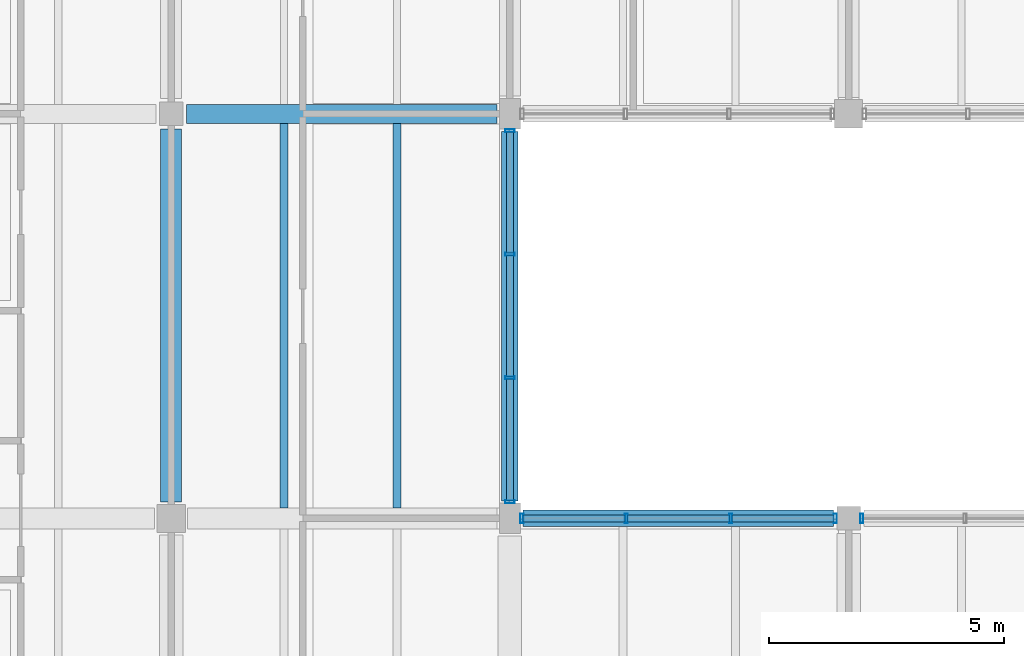
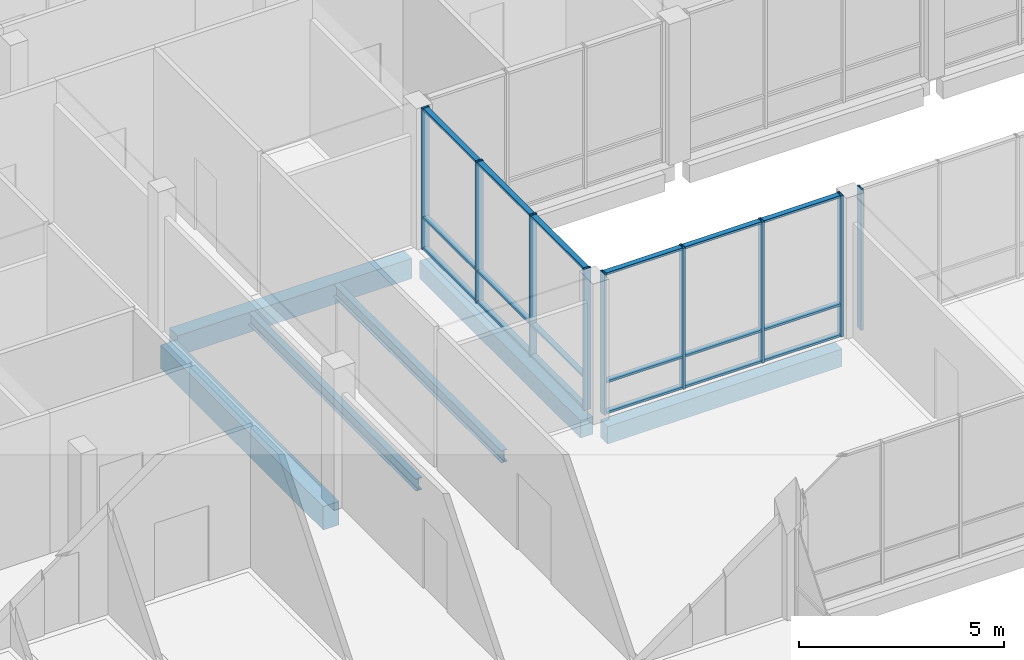
# One storey, part 31 of 104: 27 members, 6 beams, 3 elements without a shape of their own.
"""IFC4 building model written with IfcOpenShell, lengths in metres."""

from ifc_helpers import new_model, si_unit, direction, frame, origin, origin_2d, place, context, subcontext, project, spatial, rectangle, hollow_rectangle, i_section, extrude, material, material_profile, profile_set, type_object, element, aggregate, save


model = new_model("IFC4")

# Units and contexts
model_context = context("Model", 3, precision=1e-05, world=origin(), true_north=direction((0.0, 1.0)))
body_context = subcontext(model_context, "Body", "Model", "MODEL_VIEW")
ifc_project = project(units=[si_unit("LENGTHUNIT", "METRE"), si_unit("AREAUNIT", "SQUARE_METRE"), si_unit("VOLUMEUNIT", "CUBIC_METRE"), si_unit("PLANEANGLEUNIT", "RADIAN"), si_unit("MASSUNIT", "GRAM", prefix="KILO")], contexts=[model_context])

# Site, building, storey
site_placement = place(None, origin())
site = spatial("IfcSite", under=ifc_project, at=site_placement, CompositionType="ELEMENT")
building_placement = place(site_placement, origin())
building = spatial("IfcBuilding", under=site, at=building_placement, Name="Hawrajan Terrace Health Centre", CompositionType="ELEMENT")
storey_placement = place(building_placement, origin())
storey = spatial("IfcBuildingStorey", under=building, at=storey_placement, Name="L00", CompositionType="ELEMENT", Elevation=0.0)

# Curtain wall, members
ifc_material_1 = material(Name="Anodized bronze aluminium and low-E solar glazing", Category="aluminium")
curtain_wall_type_1 = type_object("IfcCurtainWallType", Name="CW_Court_SeriesB1", PredefinedType="USERDEFINED", material=ifc_material_1)
curtain_wall_1_placement = place(storey_placement, origin())
curtain_wall_1 = element("IfcCurtainWall", 1, at=curtain_wall_1_placement, inside=storey, type_object=curtain_wall_type_1, Name="Curtain wall CW-L00-004", ObjectType="UNITISED CURTAIN WALL", PredefinedType="USERDEFINED")
ifc_material_2 = material(Name="Anodized bronze aluminium 6063-T6", Category="aluminium")
ifc_material_profile_1 = material_profile(ifc_material_2, hollow_rectangle(XDim=0.06494140625, YDim=0.199951171875, WallThickness=0.00439453125, at=origin_2d()), Name="CW MUL 65x200")
ifc_profile_set_1 = profile_set([ifc_material_profile_1], Name="Anodized bronze aluminium 6063-T6")
member_type_1 = type_object("IfcMemberType", Name="CWMullion_65x200", PredefinedType="MULLION", material=ifc_profile_set_1)
member_1_placement = place(storey_placement, frame((26.199951171875, 37.157470703125, -0.0048828125), z_axis=(0.0, 0.0, 1.0), x_axis=(0.0, 1.0, 0.0)))
member_1 = element("IfcMember", 2, at=member_1_placement, type_object=member_type_1, Name="Mullion CW-L00-004-M1", PredefinedType="MULLION", context=body_context, shape_type="SweptSolid", body=[
    extrude(hollow_rectangle(XDim=0.06494140625, YDim=0.199951171875, WallThickness=0.00439453125, at=origin_2d()), origin(), (0.0, 0.0, 1.0), 4.2099609375),
])
member_2_placement = place(storey_placement, frame((26.199951171875, 39.785888671875, -0.0048828125), z_axis=(0.0, 0.0, 1.0), x_axis=(0.0, 1.0, 0.0)))
member_2 = element("IfcMember", 3, at=member_2_placement, type_object=member_type_1, Name="Mullion CW-L00-004-M2", PredefinedType="MULLION", context=body_context, shape_type="SweptSolid", body=[
    extrude(hollow_rectangle(XDim=0.06494140625, YDim=0.199951171875, WallThickness=0.00439453125, at=origin_2d()), origin(), (0.0, 0.0, 1.0), 4.2099609375),
])
member_3_placement = place(storey_placement, frame((26.199951171875, 42.414306640625, -0.0048828125), z_axis=(0.0, 0.0, 1.0), x_axis=(0.0, 1.0, 0.0)))
member_3 = element("IfcMember", 4, at=member_3_placement, type_object=member_type_1, Name="Mullion CW-L00-004-M3", PredefinedType="MULLION", context=body_context, shape_type="SweptSolid", body=[
    extrude(hollow_rectangle(XDim=0.06494140625, YDim=0.199951171875, WallThickness=0.00439453125, at=origin_2d()), origin(), (0.0, 0.0, 1.0), 4.2099609375),
])
member_4_placement = place(storey_placement, frame((26.199951171875, 45.04248046875, -0.0048828125), z_axis=(0.0, 0.0, 1.0), x_axis=(0.0, 1.0, 0.0)))
member_4 = element("IfcMember", 5, at=member_4_placement, type_object=member_type_1, Name="Mullion CW-L00-004-M4", PredefinedType="MULLION", context=body_context, shape_type="SweptSolid", body=[
    extrude(hollow_rectangle(XDim=0.06494140625, YDim=0.199951171875, WallThickness=0.00439453125, at=origin_2d()), origin(), (0.0, 0.0, 1.0), 4.2099609375),
])

curtain_wall_type_2 = type_object("IfcCurtainWallType", Name="CW_CourtNS_SeriesC1", PredefinedType="USERDEFINED", material=ifc_material_1)
curtain_wall_2_placement = place(storey_placement, origin())
curtain_wall_2 = element("IfcCurtainWall", 6, at=curtain_wall_2_placement, inside=storey, type_object=curtain_wall_type_2, Name="Curtain wall CW-L00-007", ObjectType="UNITISED CURTAIN WALL", PredefinedType="USERDEFINED")
member_5_placement = place(storey_placement, frame((26.45751953125, 36.800048828125, -0.0048828125), z_axis=(0.0, 0.0, 1.0), x_axis=(1.0, 0.0, 0.0)))
member_5 = element("IfcMember", 7, at=member_5_placement, type_object=member_type_1, Name="Mullion CW-L00-007-M1", PredefinedType="MULLION", context=body_context, shape_type="SweptSolid", body=[
    extrude(hollow_rectangle(XDim=0.06494140625, YDim=0.199951171875, WallThickness=0.00439453125, at=origin_2d()), origin(), (0.0, 0.0, 1.0), 4.2099609375),
])
member_6_placement = place(storey_placement, frame((28.677490234375, 36.800048828125, -0.0048828125), z_axis=(0.0, 0.0, 1.0), x_axis=(1.0, 0.0, 0.0)))
member_6 = element("IfcMember", 8, at=member_6_placement, type_object=member_type_1, Name="Mullion CW-L00-007-M2", PredefinedType="MULLION", context=body_context, shape_type="SweptSolid", body=[
    extrude(hollow_rectangle(XDim=0.06494140625, YDim=0.199951171875, WallThickness=0.00439453125, at=origin_2d()), origin(), (0.0, 0.0, 1.0), 4.2099609375),
])
member_7_placement = place(storey_placement, frame((30.8974609375, 36.800048828125, -0.0048828125), z_axis=(0.0, 0.0, 1.0), x_axis=(1.0, 0.0, 0.0)))
member_7 = element("IfcMember", 9, at=member_7_placement, type_object=member_type_1, Name="Mullion CW-L00-007-M3", PredefinedType="MULLION", context=body_context, shape_type="SweptSolid", body=[
    extrude(hollow_rectangle(XDim=0.06494140625, YDim=0.199951171875, WallThickness=0.00439453125, at=origin_2d()), origin(), (0.0, 0.0, 1.0), 4.2099609375),
])
member_8_placement = place(storey_placement, frame((33.117431640625, 36.800048828125, -0.0048828125), z_axis=(0.0, 0.0, 1.0), x_axis=(1.0, 0.0, 0.0)))
member_8 = element("IfcMember", 10, at=member_8_placement, type_object=member_type_1, Name="Mullion CW-L00-007-M4", PredefinedType="MULLION", context=body_context, shape_type="SweptSolid", body=[
    extrude(hollow_rectangle(XDim=0.06494140625, YDim=0.199951171875, WallThickness=0.00439453125, at=origin_2d()), origin(), (0.0, 0.0, 1.0), 4.2099609375),
])

# Curtain wall, member
curtain_wall_type_3 = type_object("IfcCurtainWallType", Name="CW_Pavilion_SeriesE2", PredefinedType="USERDEFINED", material=ifc_material_1)
curtain_wall_3_placement = place(storey_placement, origin())
curtain_wall_3 = element("IfcCurtainWall", 11, at=curtain_wall_3_placement, inside=storey, type_object=curtain_wall_type_3, Name="Curtain wall CW-L00-013", ObjectType="UNITISED CURTAIN WALL", PredefinedType="USERDEFINED")
member_9_placement = place(storey_placement, frame((33.6826171875, 36.800048828125, -0.0048828125), z_axis=(0.0, 0.0, 1.0), x_axis=(1.0, 0.0, 0.0)))
member_9 = element("IfcMember", 12, at=member_9_placement, type_object=member_type_1, Name="Mullion CW-L00-013-M1", PredefinedType="MULLION", context=body_context, shape_type="SweptSolid", body=[
    extrude(hollow_rectangle(XDim=0.06494140625, YDim=0.199951171875, WallThickness=0.00439453125, at=origin_2d()), origin(), (0.0, 0.0, 1.0), 4.2099609375),
])
aggregate(curtain_wall_3, [member_9])

# Member
ifc_material_profile_2 = material_profile(ifc_material_2, hollow_rectangle(XDim=0.06494140625, YDim=0.14990234375, WallThickness=0.00390625, at=origin_2d()), Name="CW TRN 65x150")
ifc_profile_set_2 = profile_set([ifc_material_profile_2], Name="Anodized bronze aluminium 6063-T6")
member_type_2 = type_object("IfcMemberType", Name="CWTransom_65x150", PredefinedType="USERDEFINED", material=ifc_profile_set_2)
member_10_placement = place(storey_placement, frame((26.199951171875, 37.18408203125, 0.032470703125), z_axis=(0.0, 1.0, 0.0), x_axis=(0.0, 0.0, 1.0)))
member_10 = element("IfcMember", 13, at=member_10_placement, type_object=member_type_2, Name="Transom CW-L00-004-T1-1", ObjectType="TRANSOM", PredefinedType="USERDEFINED", context=body_context, shape_type="SweptSolid", body=[
    extrude(hollow_rectangle(XDim=0.06494140625, YDim=0.14990234375, WallThickness=0.00390625, at=origin_2d()), origin(), (0.0, 0.0, 1.0), 2.5751953125),
])

member_11_placement = place(storey_placement, frame((26.199951171875, 37.18408203125, 0.949951171875), z_axis=(0.0, 1.0, 0.0), x_axis=(0.0, 0.0, 1.0)))
member_11 = element("IfcMember", 14, at=member_11_placement, type_object=member_type_2, Name="Transom CW-L00-004-T1-2", ObjectType="TRANSOM", PredefinedType="USERDEFINED", context=body_context, shape_type="SweptSolid", body=[
    extrude(hollow_rectangle(XDim=0.06494140625, YDim=0.14990234375, WallThickness=0.00390625, at=origin_2d()), origin(), (0.0, 0.0, 1.0), 2.5751953125),
])

member_12_placement = place(storey_placement, frame((26.199951171875, 37.18408203125, 4.16748046875), z_axis=(0.0, 1.0, 0.0), x_axis=(0.0, 0.0, 1.0)))
member_12 = element("IfcMember", 15, at=member_12_placement, type_object=member_type_2, Name="Transom CW-L00-004-T1-3", ObjectType="TRANSOM", PredefinedType="USERDEFINED", context=body_context, shape_type="SweptSolid", body=[
    extrude(hollow_rectangle(XDim=0.06494140625, YDim=0.14990234375, WallThickness=0.00390625, at=origin_2d()), origin(), (0.0, 0.0, 1.0), 2.5751953125),
])

member_13_placement = place(storey_placement, frame((26.199951171875, 39.812255859375, 0.032470703125), z_axis=(0.0, 1.0, 0.0), x_axis=(0.0, 0.0, 1.0)))
member_13 = element("IfcMember", 16, at=member_13_placement, type_object=member_type_2, Name="Transom CW-L00-004-T2-1", ObjectType="TRANSOM", PredefinedType="USERDEFINED", context=body_context, shape_type="SweptSolid", body=[
    extrude(hollow_rectangle(XDim=0.06494140625, YDim=0.14990234375, WallThickness=0.00390625, at=origin_2d()), origin(), (0.0, 0.0, 1.0), 2.575439453125),
])

member_14_placement = place(storey_placement, frame((26.199951171875, 39.812255859375, 0.949951171875), z_axis=(0.0, 1.0, 0.0), x_axis=(0.0, 0.0, 1.0)))
member_14 = element("IfcMember", 17, at=member_14_placement, type_object=member_type_2, Name="Transom CW-L00-004-T2-2", ObjectType="TRANSOM", PredefinedType="USERDEFINED", context=body_context, shape_type="SweptSolid", body=[
    extrude(hollow_rectangle(XDim=0.06494140625, YDim=0.14990234375, WallThickness=0.00390625, at=origin_2d()), origin(), (0.0, 0.0, 1.0), 2.575439453125),
])

member_15_placement = place(storey_placement, frame((26.199951171875, 39.812255859375, 4.16748046875), z_axis=(0.0, 1.0, 0.0), x_axis=(0.0, 0.0, 1.0)))
member_15 = element("IfcMember", 18, at=member_15_placement, type_object=member_type_2, Name="Transom CW-L00-004-T2-3", ObjectType="TRANSOM", PredefinedType="USERDEFINED", context=body_context, shape_type="SweptSolid", body=[
    extrude(hollow_rectangle(XDim=0.06494140625, YDim=0.14990234375, WallThickness=0.00390625, at=origin_2d()), origin(), (0.0, 0.0, 1.0), 2.575439453125),
])

member_16_placement = place(storey_placement, frame((26.199951171875, 42.440673828125, 0.032470703125), z_axis=(0.0, 1.0, 0.0), x_axis=(0.0, 0.0, 1.0)))
member_16 = element("IfcMember", 19, at=member_16_placement, type_object=member_type_2, Name="Transom CW-L00-004-T3-1", ObjectType="TRANSOM", PredefinedType="USERDEFINED", context=body_context, shape_type="SweptSolid", body=[
    extrude(hollow_rectangle(XDim=0.06494140625, YDim=0.14990234375, WallThickness=0.00390625, at=origin_2d()), origin(), (0.0, 0.0, 1.0), 2.575439453125),
])

member_17_placement = place(storey_placement, frame((26.199951171875, 42.440673828125, 0.949951171875), z_axis=(0.0, 1.0, 0.0), x_axis=(0.0, 0.0, 1.0)))
member_17 = element("IfcMember", 20, at=member_17_placement, type_object=member_type_2, Name="Transom CW-L00-004-T3-2", ObjectType="TRANSOM", PredefinedType="USERDEFINED", context=body_context, shape_type="SweptSolid", body=[
    extrude(hollow_rectangle(XDim=0.06494140625, YDim=0.14990234375, WallThickness=0.00390625, at=origin_2d()), origin(), (0.0, 0.0, 1.0), 2.575439453125),
])

member_18_placement = place(storey_placement, frame((26.199951171875, 42.440673828125, 4.16748046875), z_axis=(0.0, 1.0, 0.0), x_axis=(0.0, 0.0, 1.0)))
member_18 = element("IfcMember", 21, at=member_18_placement, type_object=member_type_2, Name="Transom CW-L00-004-T3-3", ObjectType="TRANSOM", PredefinedType="USERDEFINED", context=body_context, shape_type="SweptSolid", body=[
    extrude(hollow_rectangle(XDim=0.06494140625, YDim=0.14990234375, WallThickness=0.00390625, at=origin_2d()), origin(), (0.0, 0.0, 1.0), 2.575439453125),
])

aggregate(curtain_wall_1, [member_1, member_2, member_3, member_4, member_10, member_11, member_12, member_13, member_14, member_15, member_16, member_17, member_18])

member_19_placement = place(storey_placement, frame((26.48388671875, 36.800048828125, 0.032470703125), z_axis=(1.0, 0.0, 0.0), x_axis=(0.0, 0.0, 1.0)))
member_19 = element("IfcMember", 22, at=member_19_placement, type_object=member_type_2, Name="Transom CW-L00-007-T1-1", ObjectType="TRANSOM", PredefinedType="USERDEFINED", context=body_context, shape_type="SweptSolid", body=[
    extrude(hollow_rectangle(XDim=0.06494140625, YDim=0.14990234375, WallThickness=0.00390625, at=origin_2d()), origin(), (0.0, 0.0, 1.0), 2.1669921875),
])

member_20_placement = place(storey_placement, frame((26.48388671875, 36.800048828125, 0.949951171875), z_axis=(1.0, 0.0, 0.0), x_axis=(0.0, 0.0, 1.0)))
member_20 = element("IfcMember", 23, at=member_20_placement, type_object=member_type_2, Name="Transom CW-L00-007-T1-2", ObjectType="TRANSOM", PredefinedType="USERDEFINED", context=body_context, shape_type="SweptSolid", body=[
    extrude(hollow_rectangle(XDim=0.06494140625, YDim=0.14990234375, WallThickness=0.00390625, at=origin_2d()), origin(), (0.0, 0.0, 1.0), 2.1669921875),
])

member_21_placement = place(storey_placement, frame((26.48388671875, 36.800048828125, 4.16748046875), z_axis=(1.0, 0.0, 0.0), x_axis=(0.0, 0.0, 1.0)))
member_21 = element("IfcMember", 24, at=member_21_placement, type_object=member_type_2, Name="Transom CW-L00-007-T1-3", ObjectType="TRANSOM", PredefinedType="USERDEFINED", context=body_context, shape_type="SweptSolid", body=[
    extrude(hollow_rectangle(XDim=0.06494140625, YDim=0.14990234375, WallThickness=0.00390625, at=origin_2d()), origin(), (0.0, 0.0, 1.0), 2.1669921875),
])

member_22_placement = place(storey_placement, frame((28.7041015625, 36.800048828125, 0.032470703125), z_axis=(1.0, 0.0, 0.0), x_axis=(0.0, 0.0, 1.0)))
member_22 = element("IfcMember", 25, at=member_22_placement, type_object=member_type_2, Name="Transom CW-L00-007-T2-1", ObjectType="TRANSOM", PredefinedType="USERDEFINED", context=body_context, shape_type="SweptSolid", body=[
    extrude(hollow_rectangle(XDim=0.06494140625, YDim=0.14990234375, WallThickness=0.00390625, at=origin_2d()), origin(), (0.0, 0.0, 1.0), 2.1669921875),
])

member_23_placement = place(storey_placement, frame((28.7041015625, 36.800048828125, 0.949951171875), z_axis=(1.0, 0.0, 0.0), x_axis=(0.0, 0.0, 1.0)))
member_23 = element("IfcMember", 26, at=member_23_placement, type_object=member_type_2, Name="Transom CW-L00-007-T2-2", ObjectType="TRANSOM", PredefinedType="USERDEFINED", context=body_context, shape_type="SweptSolid", body=[
    extrude(hollow_rectangle(XDim=0.06494140625, YDim=0.14990234375, WallThickness=0.00390625, at=origin_2d()), origin(), (0.0, 0.0, 1.0), 2.1669921875),
])

member_24_placement = place(storey_placement, frame((28.7041015625, 36.800048828125, 4.16748046875), z_axis=(1.0, 0.0, 0.0), x_axis=(0.0, 0.0, 1.0)))
member_24 = element("IfcMember", 27, at=member_24_placement, type_object=member_type_2, Name="Transom CW-L00-007-T2-3", ObjectType="TRANSOM", PredefinedType="USERDEFINED", context=body_context, shape_type="SweptSolid", body=[
    extrude(hollow_rectangle(XDim=0.06494140625, YDim=0.14990234375, WallThickness=0.00390625, at=origin_2d()), origin(), (0.0, 0.0, 1.0), 2.1669921875),
])

member_25_placement = place(storey_placement, frame((30.924072265625, 36.800048828125, 0.032470703125), z_axis=(1.0, 0.0, 0.0), x_axis=(0.0, 0.0, 1.0)))
member_25 = element("IfcMember", 28, at=member_25_placement, type_object=member_type_2, Name="Transom CW-L00-007-T3-1", ObjectType="TRANSOM", PredefinedType="USERDEFINED", context=body_context, shape_type="SweptSolid", body=[
    extrude(hollow_rectangle(XDim=0.06494140625, YDim=0.14990234375, WallThickness=0.00390625, at=origin_2d()), origin(), (0.0, 0.0, 1.0), 2.1669921875),
])

member_26_placement = place(storey_placement, frame((30.924072265625, 36.800048828125, 0.949951171875), z_axis=(1.0, 0.0, 0.0), x_axis=(0.0, 0.0, 1.0)))
member_26 = element("IfcMember", 29, at=member_26_placement, type_object=member_type_2, Name="Transom CW-L00-007-T3-2", ObjectType="TRANSOM", PredefinedType="USERDEFINED", context=body_context, shape_type="SweptSolid", body=[
    extrude(hollow_rectangle(XDim=0.06494140625, YDim=0.14990234375, WallThickness=0.00390625, at=origin_2d()), origin(), (0.0, 0.0, 1.0), 2.1669921875),
])

member_27_placement = place(storey_placement, frame((30.924072265625, 36.800048828125, 4.16748046875), z_axis=(1.0, 0.0, 0.0), x_axis=(0.0, 0.0, 1.0)))
member_27 = element("IfcMember", 30, at=member_27_placement, type_object=member_type_2, Name="Transom CW-L00-007-T3-3", ObjectType="TRANSOM", PredefinedType="USERDEFINED", context=body_context, shape_type="SweptSolid", body=[
    extrude(hollow_rectangle(XDim=0.06494140625, YDim=0.14990234375, WallThickness=0.00390625, at=origin_2d()), origin(), (0.0, 0.0, 1.0), 2.1669921875),
])

aggregate(curtain_wall_2, [member_5, member_6, member_7, member_8, member_19, member_20, member_21, member_22, member_23, member_24, member_25, member_26, member_27])

# Beams
ifc_material_3 = material(Name="Concrete C40/50", Category="concrete")
ifc_material_profile_3 = material_profile(ifc_material_3, rectangle(XDim=0.39990234375, YDim=0.60009765625, at=origin_2d()), Name="RC BM 400x600")
ifc_profile_set_3 = profile_set([ifc_material_profile_3], Name="Concrete C40/50")
beam_type_1 = type_object("IfcBeamType", Name="RCGirder_400x600", PredefinedType="BEAM", material=ifc_profile_set_3)
beam_1_placement = place(storey_placement, frame((19.324951171875, 45.39990234375, -0.60009765625), z_axis=(1.0, 0.0, 0.0), x_axis=(0.0, 1.0, 0.0)))
element("IfcBeam", 31, at=beam_1_placement, inside=storey, type_object=beam_type_1, Name="Beam BM-X-L00-W-03-Y6", PredefinedType="BEAM", context=body_context, shape_type="SweptSolid", body=[
    extrude(rectangle(XDim=0.39990234375, YDim=0.60009765625, at=origin_2d()), origin(), (0.0, 0.0, 1.0), 6.60009765625),
])
ifc_material_profile_4 = material_profile(ifc_material_3, rectangle(XDim=0.449951171875, YDim=0.699951171875, at=origin_2d()), Name="RC BM 450x700")
ifc_profile_set_4 = profile_set([ifc_material_profile_4], Name="Concrete C40/50")
beam_type_2 = type_object("IfcBeamType", Name="RCGirder_450x700", PredefinedType="BEAM", material=ifc_profile_set_4)
beam_2_placement = place(storey_placement, frame((19.0, 37.14990234375, -0.64990234375), z_axis=(0.0, 1.0, 0.0), x_axis=(-1.0, 0.0, 0.0)))
element("IfcBeam", 32, at=beam_2_placement, inside=storey, type_object=beam_type_2, Name="Beam BM-Y-L00-W-X03-5", PredefinedType="BEAM", context=body_context, shape_type="SweptSolid", body=[
    extrude(rectangle(XDim=0.449951171875, YDim=0.699951171875, at=origin_2d()), origin(), (0.0, 0.0, 1.0), 7.925048828125),
])
ifc_material_profile_5 = material_profile(ifc_material_3, rectangle(XDim=0.35009765625, YDim=0.52001953125, at=origin_2d()), Name="RC SP 350x520")
ifc_profile_set_5 = profile_set([ifc_material_profile_5], Name="Concrete C40/50")
beam_type_3 = type_object("IfcBeamType", Name="RCSpandrel_350x520", PredefinedType="SPANDREL", material=ifc_profile_set_5)
beam_3_placement = place(storey_placement, frame((26.47509765625, 36.800048828125, -0.56005859375), z_axis=(1.0, 0.0, 0.0), x_axis=(0.0, 1.0, 0.0)))
element("IfcBeam", 33, at=beam_3_placement, inside=storey, type_object=beam_type_3, Name="Beam BM-X-L00-W-04-Y5", PredefinedType="SPANDREL", context=body_context, shape_type="SweptSolid", body=[
    extrude(rectangle(XDim=0.35009765625, YDim=0.52001953125, at=origin_2d()), origin(), (0.0, 0.0, 1.0), 6.599853515625),
])
beam_4_placement = place(storey_placement, frame((26.199951171875, 37.175048828125, -0.56005859375), z_axis=(0.0, 1.0, 0.0), x_axis=(-1.0, 0.0, 0.0)))
element("IfcBeam", 34, at=beam_4_placement, inside=storey, type_object=beam_type_3, Name="Beam BM-Y-L00-W-X04-5", PredefinedType="SPANDREL", context=body_context, shape_type="SweptSolid", body=[
    extrude(rectangle(XDim=0.35009765625, YDim=0.52001953125, at=origin_2d()), origin(), (0.0, 0.0, 1.0), 7.849853515625),
])
ifc_material_4 = material(Name="Steel S355", Category="steel")
ifc_material_profile_6 = material_profile(ifc_material_4, i_section(OverallWidth=0.169921875, OverallDepth=0.360107421875, WebThickness=0.008056640625, FlangeThickness=0.0126953125, FilletRadius=0.01806640625, at=origin_2d()), Name="IPE 360")
ifc_profile_set_6 = profile_set([ifc_material_profile_6], Name="Steel S355")
beam_type_4 = type_object("IfcBeamType", Name="SteelBeam_IPE360", PredefinedType="BEAM", material=ifc_profile_set_6)
for number, where, z_axis, x_axis, name in (
    (35, (21.39990234375, 37.02490234375, -0.47998046875), (0.0, 1.0, 0.0), (-1.0, 0.0, 0.0), "Secondary joist JST-L00-W-03-5-1"),
    (36, (23.800048828125, 37.02490234375, -0.47998046875), (0.0, 1.0, 0.0), (-1.0, 0.0, 0.0), "Secondary joist JST-L00-W-03-5-2"),
):
    element("IfcBeam", number, at=place(storey_placement, frame(where, z_axis=z_axis, x_axis=x_axis)), inside=storey, type_object=beam_type_4, Name=name, PredefinedType="BEAM", context=body_context, shape_type="SweptSolid", body=[
        extrude(i_section(OverallWidth=0.169921875, OverallDepth=0.360107421875, WebThickness=0.008056640625, FlangeThickness=0.0126953125, FilletRadius=0.01806640625, at=origin_2d()), origin(), (0.0, 0.0, 1.0), 8.175048828125),
    ])

save(model, "model.ifc")
